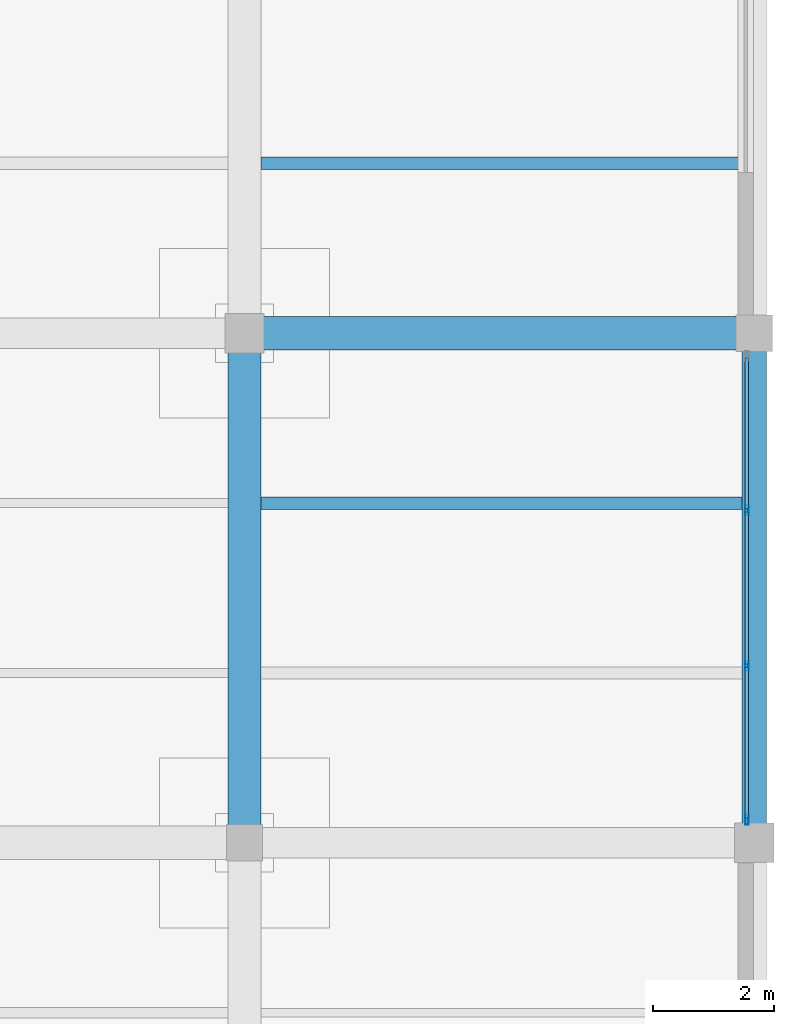
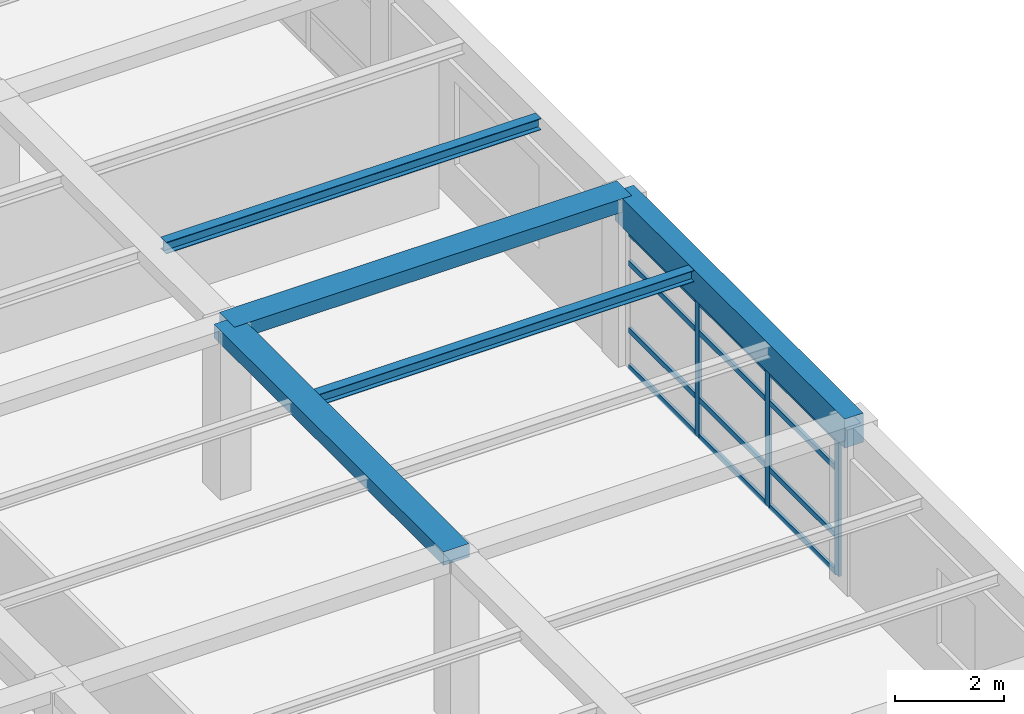
# One storey, part 14 of 26: 15 members, 5 beams, 1 element without a shape of its own.
"""IFC4 building model written with IfcOpenShell, lengths in metres."""

import ifcopenshell
import ifcopenshell.guid

model = None  # the IFC model being written
_history = None  # IfcOwnerHistory: only IFC2X3 demands one
_inside = {}  # id of a spatial element -> (the spatial element, [elements in it])
_under = {}  # id of a project, library or spatial element -> (it, [spatial elements below it])
_declared = {}  # id of a project -> (the project, [libraries it declares])
_typed = {}  # id of a type object -> (the type object, [elements of that type])
_made_of = {}  # id of a material, layer set ... -> (it, [elements and type objects made of it])


def new_model(schema):
    """Start an empty IFC model of exactly this schema.

    Asked for "IFC4X3", IfcOpenShell would pick the latest addendum, in which some entities
    have other attributes; the version numbers below select the first issue.
    IFC2X3 requires an IfcOwnerHistory on every rooted entity: one is made here for all.
    """
    global model, _history
    if schema == "IFC4X3":
        model = ifcopenshell.file(schema_version=(4, 3, 0, 0))
    else:
        model = ifcopenshell.file(schema=schema)
    _inside.clear()
    _under.clear()
    _declared.clear()
    _typed.clear()
    _made_of.clear()
    _history = None
    if model.schema == "IFC2X3":
        org = make("IfcOrganization", Name="unknown")
        user = make(
            "IfcPersonAndOrganization",
            ThePerson=make("IfcPerson", FamilyName="unknown"),
            TheOrganization=org,
        )
        app = make(
            "IfcApplication",
            ApplicationDeveloper=org,
            Version="unknown",
            ApplicationFullName="unknown",
            ApplicationIdentifier="unknown",
        )
        _history = make(
            "IfcOwnerHistory",
            OwningUser=user,
            OwningApplication=app,
            ChangeAction="ADDED",
            CreationDate=0,
        )
    return model


def make(cls, **values):
    """One entity of the class cls with the attributes given. An attribute that is None is left unset."""
    return model.create_entity(
        cls, **{name: value for name, value in values.items() if value is not None}
    )


def rooted(cls, **values):
    """An entity with a GlobalId (a new one), such as an element, a storey or a relation."""
    return make(cls, GlobalId=ifcopenshell.guid.new(), OwnerHistory=_history, **values)


def si_unit(unit_type, name, prefix=None):
    """IfcSIUnit, for example si_unit("LENGTHUNIT", "METRE", prefix="MILLI")."""
    return make("IfcSIUnit", UnitType=unit_type, Prefix=prefix, Name=name)


def assignment(units):
    """IfcUnitAssignment: the units of a project."""
    return None if units is None else make("IfcUnitAssignment", Units=units)


def point(xyz):
    """IfcCartesianPoint."""
    return None if xyz is None else make("IfcCartesianPoint", Coordinates=xyz)


def direction(xyz):
    """IfcDirection."""
    return None if xyz is None else make("IfcDirection", DirectionRatios=xyz)


def frame(location, z_axis=None, x_axis=None):
    """IfcAxis2Placement3D, a coordinate frame: its origin and axes. An axis left out is left unset."""
    return make(
        "IfcAxis2Placement3D",
        Location=point(location),
        Axis=direction(z_axis),
        RefDirection=direction(x_axis),
    )


def frame_2d(location, x_axis=None):
    """IfcAxis2Placement2D, a coordinate frame in the plane: its origin and x axis."""
    return make(
        "IfcAxis2Placement2D", Location=point(location), RefDirection=direction(x_axis)
    )


def origin():
    """The frame at (0, 0, 0) with its axes left unset."""
    return frame((0.0, 0.0, 0.0))


def origin_2d():
    """The frame at (0, 0) in the plane with its x axis left unset."""
    return frame_2d((0.0, 0.0))


def place(relative_to, where):
    """IfcLocalPlacement: puts the frame where relative to a parent placement (None: the world)."""
    return make(
        "IfcLocalPlacement", PlacementRelTo=relative_to, RelativePlacement=where
    )


def context(
    kind, dimensions, precision=None, world=None, true_north=None, identifier=None
):
    """IfcGeometricRepresentationContext, for example the 3D "Model" context."""
    return make(
        "IfcGeometricRepresentationContext",
        ContextIdentifier=identifier,
        ContextType=kind,
        CoordinateSpaceDimension=dimensions,
        Precision=precision,
        WorldCoordinateSystem=world,
        TrueNorth=true_north,
    )


def subcontext(parent, identifier, kind, view, scale=None):
    """IfcGeometricRepresentationSubContext, for example "Body" below "Model"."""
    return make(
        "IfcGeometricRepresentationSubContext",
        ContextIdentifier=identifier,
        ContextType=kind,
        ParentContext=parent,
        TargetScale=scale,
        TargetView=view,
    )


def project(units=None, contexts=None):
    """IfcProject with its units and contexts."""
    return rooted(
        "IfcProject",
        Name="project",
        RepresentationContexts=contexts,
        UnitsInContext=assignment(units),
    )


def spatial(cls, under=None, at=None, **own):
    """A site, building, storey or space (cls), placed at a placement, below another one or the project."""
    s = rooted(cls, ObjectPlacement=at, **own)
    if under is not None:
        _under.setdefault(under.id(), (under, []))[1].append(s)
    return s


def profile(cls, at=None, kind="AREA", **sizes):
    """A parametric profile (cls). Its sizes go by their IFC names, for example OverallWidth=200.0."""
    return make(cls, ProfileType=kind, Position=at, **sizes)


def rectangle(**sizes):
    """IfcRectangleProfileDef."""
    return profile("IfcRectangleProfileDef", **sizes)


def hollow_rectangle(**sizes):
    """IfcRectangleHollowProfileDef."""
    return profile("IfcRectangleHollowProfileDef", **sizes)


def i_section(**sizes):
    """IfcIShapeProfileDef."""
    return profile("IfcIShapeProfileDef", **sizes)


def extrude(swept, where, along, depth):
    """IfcExtrudedAreaSolid: the profile swept, set in the frame where, extruded along a direction by depth."""
    return make(
        "IfcExtrudedAreaSolid",
        SweptArea=swept,
        Position=where,
        ExtrudedDirection=direction(along),
        Depth=depth,
    )


def shape(context_of_items, identifier, shape_type, items):
    """IfcShapeRepresentation: the items that make up one representation, for example the "Body"."""
    return make(
        "IfcShapeRepresentation",
        ContextOfItems=context_of_items,
        RepresentationIdentifier=identifier,
        RepresentationType=shape_type,
        Items=items,
    )


def material(Name=None, Category=None):
    """IfcMaterial."""
    return make("IfcMaterial", Name=Name, Category=Category)


def material_profile(
    of_material, cross_section, Name=None, Category=None, Priority=None
):
    """IfcMaterialProfile: a cross section and its material."""
    return make(
        "IfcMaterialProfile",
        Name=Name,
        Material=of_material,
        Profile=cross_section,
        Priority=Priority,
        Category=Category,
    )


def profile_set(profiles, Name=None, composite=None):
    """IfcMaterialProfileSet."""
    return make(
        "IfcMaterialProfileSet",
        Name=Name,
        MaterialProfiles=profiles,
        CompositeProfile=composite,
    )


def made_of(thing, what):
    """Note that an element or type object is made of a material, layer set ...; save() writes the relation."""
    if what is not None:
        _made_of.setdefault(what.id(), (what, []))[1].append(thing)
    return thing


def type_object(cls, material=None, **own):
    """A type object (cls), such as IfcWallType, which elements share."""
    return made_of(rooted(cls, **own), material)


def element(
    cls,
    number,
    at=None,
    inside=None,
    cuts=None,
    type_object=None,
    material=None,
    context=None,
    identifier="Body",
    shape_type=None,
    held_by="IfcProductDefinitionShape",
    body=None,
    shapes=None,
    **own,
):
    """One element of the class cls, such as IfcWall. Its Tag is "e" and its number.

    at: its placement. inside: the storey or other place that contains it. cuts: it is an
    opening in that element (IfcRelVoidsElement). A single representation is given by context,
    identifier, shape_type and body (its items); several are given by shapes. held_by: the class
    of the entity that holds the representations. save() writes the other relations.
    """
    e = rooted(cls, Tag="e%d" % number, ObjectPlacement=at, **own)
    if body is not None:
        shapes = [shape(context, identifier, shape_type, body)]
    if shapes is not None:
        e.Representation = make(held_by, Representations=shapes)
    if inside is not None:
        _inside.setdefault(inside.id(), (inside, []))[1].append(e)
    if cuts is not None:
        rooted(
            "IfcRelVoidsElement", RelatingBuildingElement=cuts, RelatedOpeningElement=e
        )
    if type_object is not None:
        _typed.setdefault(type_object.id(), (type_object, []))[1].append(e)
    return made_of(e, material)


def aggregate(whole, parts):
    """IfcRelAggregates: a whole, such as a stair, and the parts it consists of."""
    return rooted("IfcRelAggregates", RelatingObject=whole, RelatedObjects=parts)


def save(model, path):
    """Write the relations noted so far, then the file.

    IfcRelAggregates (storeys below a building ...), IfcRelContainedInSpatialStructure (elements
    in a storey), IfcRelDefinesByType, IfcRelAssociatesMaterial and IfcRelDeclares: one each for
    every whole, place, type object, material and project.
    """
    for whole, parts in _under.values():
        aggregate(whole, parts)
    for where, things in _inside.values():
        rooted(
            "IfcRelContainedInSpatialStructure",
            RelatedElements=things,
            RelatingStructure=where,
        )
    for kind, things in _typed.values():
        rooted("IfcRelDefinesByType", RelatedObjects=things, RelatingType=kind)
    for what, things in _made_of.values():
        rooted("IfcRelAssociatesMaterial", RelatedObjects=things, RelatingMaterial=what)
    for by, libraries in _declared.values():
        rooted("IfcRelDeclares", RelatingContext=by, RelatedDefinitions=libraries)
    model.write(path)


model = new_model("IFC4")

# Units and contexts
model_context = context("Model", 3, precision=1e-05, world=origin(), true_north=direction((0.0, 1.0)))
body_context = subcontext(model_context, "Body", "Model", "MODEL_VIEW")
ifc_project = project(units=[si_unit("LENGTHUNIT", "METRE"), si_unit("AREAUNIT", "SQUARE_METRE"), si_unit("VOLUMEUNIT", "CUBIC_METRE"), si_unit("PLANEANGLEUNIT", "RADIAN"), si_unit("MASSUNIT", "GRAM", prefix="KILO")], contexts=[model_context])

# Site, building, storey
site_placement = place(None, origin())
site = spatial("IfcSite", under=ifc_project, at=site_placement, CompositionType="ELEMENT")
building_placement = place(site_placement, origin())
building = spatial("IfcBuilding", under=site, at=building_placement, Name="Almacenes y Pasaje Nevantli", CompositionType="ELEMENT")
storey_placement = place(building_placement, frame((0.0, 0.0, 46.699951171875)))
storey = spatial("IfcBuildingStorey", under=building, at=storey_placement, Name="L11", CompositionType="ELEMENT", Elevation=46.699951171875)

# Beams
ifc_material_1 = material(Name="Concrete C35/45", Category="concrete")
ifc_material_profile_1 = material_profile(ifc_material_1, rectangle(XDim=0.39990234375, YDim=0.64990234375, at=origin_2d()), Name="RC-BM-400x650")
ifc_profile_set_1 = profile_set([ifc_material_profile_1], Name="Concrete C35/45")
beam_type_1 = type_object("IfcBeamType", Name="BM-RC-400x650", PredefinedType="SPANDREL", material=ifc_profile_set_1)
beam_1_placement = place(storey_placement, frame((159.60009765625, 75.60009765625, 3.39501953125), z_axis=(0.0, 1.0, 0.0), x_axis=(-1.0, 0.0, 0.0)))
element("IfcBeam", 1, at=beam_1_placement, inside=storey, type_object=beam_type_1, Name="L11 North-South Reinforced Concrete Beam #3888", PredefinedType="SPANDREL", context=body_context, shape_type="SweptSolid", body=[
    extrude(rectangle(XDim=0.39990234375, YDim=0.64990234375, at=origin_2d()), origin(), (0.0, 0.0, 1.0), 8.39990234375),
])
ifc_material_2 = material(Name="Concrete C35/45", Category="concrete")
ifc_material_profile_2 = material_profile(ifc_material_2, rectangle(XDim=0.550048828125, YDim=0.300048828125, at=origin_2d()), Name="RC-BM-550x300")
ifc_profile_set_2 = profile_set([ifc_material_profile_2], Name="Concrete C35/45")
beam_type_2 = type_object("IfcBeamType", Name="BM-RC-550x300", PredefinedType="BEAM", material=ifc_profile_set_2)
beam_2_placement = place(storey_placement, frame((151.199951171875, 84.0, 3.570068359375), z_axis=(1.0, 0.0, 0.0), x_axis=(0.0, 1.0, 0.0)))
element("IfcBeam", 2, at=beam_2_placement, inside=storey, type_object=beam_type_2, Name="L11 East-West Reinforced Concrete Beam #3858", PredefinedType="BEAM", context=body_context, shape_type="SweptSolid", body=[
    extrude(rectangle(XDim=0.550048828125, YDim=0.300048828125, at=origin_2d()), origin(), (0.0, 0.0, 1.0), 8.400146484375),
])
beam_3_placement = place(storey_placement, frame((151.199951171875, 75.60009765625, 3.570068359375), z_axis=(0.0, 1.0, 0.0), x_axis=(-1.0, 0.0, 0.0)))
element("IfcBeam", 3, at=beam_3_placement, inside=storey, type_object=beam_type_2, Name="L11 North-South Reinforced Concrete Beam #3884", PredefinedType="BEAM", context=body_context, shape_type="SweptSolid", body=[
    extrude(rectangle(XDim=0.550048828125, YDim=0.300048828125, at=origin_2d()), origin(), (0.0, 0.0, 1.0), 8.39990234375),
])
ifc_material_3 = material(Name="Steel ASTM A992", Category="steel")
ifc_material_profile_3 = material_profile(ifc_material_3, i_section(OverallWidth=0.202880859375, OverallDepth=0.25390625, WebThickness=0.00732421875, FlangeThickness=0.010986328125, at=origin_2d()), Name="IR 254x49.1")
ifc_profile_set_3 = profile_set([ifc_material_profile_3], Name="Steel ASTM A992")
beam_type_3 = type_object("IfcBeamType", Name="BM-STL-IR-254x49p1", PredefinedType="JOIST", material=ifc_profile_set_3)
beam_4_placement = place(storey_placement, frame((151.47509765625, 81.199951171875, 3.5849609375), z_axis=(1.0, 0.0, 0.0), x_axis=(0.0, 1.0, 0.0)))
element("IfcBeam", 4, at=beam_4_placement, inside=storey, type_object=beam_type_3, Name="L11 Secondary Steel Floor Joist #1536", PredefinedType="JOIST", context=body_context, shape_type="SweptSolid", body=[
    extrude(i_section(OverallWidth=0.202880859375, OverallDepth=0.25390625, WebThickness=0.00732421875, FlangeThickness=0.010986328125, at=origin_2d()), origin(), (0.0, 0.0, 1.0), 7.9248046875),
])
ifc_material_4 = material(Name="Steel ASTM A992", Category="steel")
ifc_material_profile_4 = material_profile(ifc_material_4, i_section(OverallWidth=0.2041015625, OverallDepth=0.258056640625, WebThickness=0.008056640625, FlangeThickness=0.013427734375, at=origin_2d()), Name="IR 254x58.0")
ifc_profile_set_4 = profile_set([ifc_material_profile_4], Name="Steel ASTM A992")
beam_type_4 = type_object("IfcBeamType", Name="BM-STL-IR-254x58p0", PredefinedType="JOIST", material=ifc_profile_set_4)
beam_5_placement = place(storey_placement, frame((151.47509765625, 86.800048828125, 3.5830078125), z_axis=(1.0, 0.0, 0.0), x_axis=(0.0, 1.0, 0.0)))
element("IfcBeam", 5, at=beam_5_placement, inside=storey, type_object=beam_type_4, Name="L11 Secondary Steel Floor Joist #1537", PredefinedType="JOIST", context=body_context, shape_type="SweptSolid", body=[
    extrude(i_section(OverallWidth=0.2041015625, OverallDepth=0.258056640625, WebThickness=0.008056640625, FlangeThickness=0.013427734375, at=origin_2d()), origin(), (0.0, 0.0, 1.0), 7.9248046875),
])

# Curtain wall, members
ifc_material_5 = material(Name="Thermally Broken Aluminium and Low-E Glass", Category="aluminium")
curtain_wall_type = type_object("IfcCurtainWallType", Name="CW-UNIT-TOWER", PredefinedType="USERDEFINED", material=ifc_material_5)
curtain_wall_placement = place(storey_placement, origin())
curtain_wall = element("IfcCurtainWall", 6, at=curtain_wall_placement, inside=storey, type_object=curtain_wall_type, Name="L11 Tower East Curtain Wall Bay 10", ObjectType="UNITIZED CURTAIN WALL", PredefinedType="USERDEFINED")
ifc_material_6 = material(Name="Thermally Broken Anodized Aluminium", Category="aluminium")
ifc_material_profile_5 = material_profile(ifc_material_6, hollow_rectangle(XDim=0.06005859375, YDim=0.159912109375, WallThickness=0.00390625, at=origin_2d()), Name="ALU-MUL-60x160")
ifc_profile_set_5 = profile_set([ifc_material_profile_5], Name="Thermally Broken Anodized Aluminium")
member_type_1 = type_object("IfcMemberType", Name="CW-MUL-180", PredefinedType="MULLION", material=ifc_profile_set_5)
member_1_placement = place(storey_placement, frame((159.47998046875, 75.97998046875, 0.0), z_axis=(0.0, 0.0, 1.0), x_axis=(-1.0, 0.0, 0.0)))
member_1 = element("IfcMember", 7, at=member_1_placement, type_object=member_type_1, Name="CW-L11-156 mullion 1", PredefinedType="MULLION", context=body_context, shape_type="SweptSolid", body=[
    extrude(hollow_rectangle(XDim=0.06005859375, YDim=0.159912109375, WallThickness=0.00390625, at=origin_2d()), origin(), (0.0, 0.0, 1.0), 3.0400390625),
])
member_2_placement = place(storey_placement, frame((159.47998046875, 78.5166015625, 0.0), z_axis=(0.0, 0.0, 1.0), x_axis=(-1.0, 0.0, 0.0)))
member_2 = element("IfcMember", 8, at=member_2_placement, type_object=member_type_1, Name="CW-L11-156 mullion 2", PredefinedType="MULLION", context=body_context, shape_type="SweptSolid", body=[
    extrude(hollow_rectangle(XDim=0.06005859375, YDim=0.159912109375, WallThickness=0.00390625, at=origin_2d()), origin(), (0.0, 0.0, 1.0), 3.0400390625),
])
member_3_placement = place(storey_placement, frame((159.47998046875, 81.083251953125, 0.0), z_axis=(0.0, 0.0, 1.0), x_axis=(-1.0, 0.0, 0.0)))
member_3 = element("IfcMember", 9, at=member_3_placement, type_object=member_type_1, Name="CW-L11-156 mullion 3", PredefinedType="MULLION", context=body_context, shape_type="SweptSolid", body=[
    extrude(hollow_rectangle(XDim=0.06005859375, YDim=0.159912109375, WallThickness=0.00390625, at=origin_2d()), origin(), (0.0, 0.0, 1.0), 3.0400390625),
])
ifc_material_7 = material(Name="Thermally Broken Anodized Aluminium", Category="aluminium")
ifc_material_profile_6 = material_profile(ifc_material_7, hollow_rectangle(XDim=0.06005859375, YDim=0.1201171875, WallThickness=0.00341796875, at=origin_2d()), Name="ALU-TRN-60x120")
ifc_profile_set_6 = profile_set([ifc_material_profile_6], Name="Thermally Broken Anodized Aluminium")
member_type_2 = type_object("IfcMemberType", Name="CW-TRN-130", PredefinedType="USERDEFINED", material=ifc_profile_set_6)
member_4_placement = place(storey_placement, frame((159.47998046875, 76.010009765625, 0.030029296875), z_axis=(0.0, 1.0, 0.0), x_axis=(-1.0, 0.0, 0.0)))
member_4 = element("IfcMember", 10, at=member_4_placement, type_object=member_type_2, Name="CW-L11-156 transom 1.1", ObjectType="TRANSOM", PredefinedType="USERDEFINED", context=body_context, shape_type="SweptSolid", body=[
    extrude(hollow_rectangle(XDim=0.06005859375, YDim=0.1201171875, WallThickness=0.00341796875, at=origin_2d()), origin(), (0.0, 0.0, 1.0), 2.4765625),
])
member_5_placement = place(storey_placement, frame((159.47998046875, 76.010009765625, 0.85009765625), z_axis=(0.0, 1.0, 0.0), x_axis=(-1.0, 0.0, 0.0)))
member_5 = element("IfcMember", 11, at=member_5_placement, type_object=member_type_2, Name="CW-L11-156 transom 1.2", ObjectType="TRANSOM", PredefinedType="USERDEFINED", context=body_context, shape_type="SweptSolid", body=[
    extrude(hollow_rectangle(XDim=0.06005859375, YDim=0.1201171875, WallThickness=0.00341796875, at=origin_2d()), origin(), (0.0, 0.0, 1.0), 2.4765625),
])
member_6_placement = place(storey_placement, frame((159.47998046875, 76.010009765625, 2.35009765625), z_axis=(0.0, 1.0, 0.0), x_axis=(-1.0, 0.0, 0.0)))
member_6 = element("IfcMember", 12, at=member_6_placement, type_object=member_type_2, Name="CW-L11-156 transom 1.3", ObjectType="TRANSOM", PredefinedType="USERDEFINED", context=body_context, shape_type="SweptSolid", body=[
    extrude(hollow_rectangle(XDim=0.06005859375, YDim=0.1201171875, WallThickness=0.00341796875, at=origin_2d()), origin(), (0.0, 0.0, 1.0), 2.4765625),
])
member_7_placement = place(storey_placement, frame((159.47998046875, 76.010009765625, 3.010009765625), z_axis=(0.0, 1.0, 0.0), x_axis=(-1.0, 0.0, 0.0)))
member_7 = element("IfcMember", 13, at=member_7_placement, type_object=member_type_2, Name="CW-L11-156 transom 1.4", ObjectType="TRANSOM", PredefinedType="USERDEFINED", context=body_context, shape_type="SweptSolid", body=[
    extrude(hollow_rectangle(XDim=0.06005859375, YDim=0.1201171875, WallThickness=0.00341796875, at=origin_2d()), origin(), (0.0, 0.0, 1.0), 2.4765625),
])
member_8_placement = place(storey_placement, frame((159.47998046875, 78.546630859375, 0.030029296875), z_axis=(0.0, 1.0, 0.0), x_axis=(-1.0, 0.0, 0.0)))
member_8 = element("IfcMember", 14, at=member_8_placement, type_object=member_type_2, Name="CW-L11-156 transom 2.1", ObjectType="TRANSOM", PredefinedType="USERDEFINED", context=body_context, shape_type="SweptSolid", body=[
    extrude(hollow_rectangle(XDim=0.06005859375, YDim=0.1201171875, WallThickness=0.00341796875, at=origin_2d()), origin(), (0.0, 0.0, 1.0), 2.506591796875),
])
member_9_placement = place(storey_placement, frame((159.47998046875, 78.546630859375, 0.85009765625), z_axis=(0.0, 1.0, 0.0), x_axis=(-1.0, 0.0, 0.0)))
member_9 = element("IfcMember", 15, at=member_9_placement, type_object=member_type_2, Name="CW-L11-156 transom 2.2", ObjectType="TRANSOM", PredefinedType="USERDEFINED", context=body_context, shape_type="SweptSolid", body=[
    extrude(hollow_rectangle(XDim=0.06005859375, YDim=0.1201171875, WallThickness=0.00341796875, at=origin_2d()), origin(), (0.0, 0.0, 1.0), 2.506591796875),
])
member_10_placement = place(storey_placement, frame((159.47998046875, 78.546630859375, 2.35009765625), z_axis=(0.0, 1.0, 0.0), x_axis=(-1.0, 0.0, 0.0)))
member_10 = element("IfcMember", 16, at=member_10_placement, type_object=member_type_2, Name="CW-L11-156 transom 2.3", ObjectType="TRANSOM", PredefinedType="USERDEFINED", context=body_context, shape_type="SweptSolid", body=[
    extrude(hollow_rectangle(XDim=0.06005859375, YDim=0.1201171875, WallThickness=0.00341796875, at=origin_2d()), origin(), (0.0, 0.0, 1.0), 2.506591796875),
])
member_11_placement = place(storey_placement, frame((159.47998046875, 78.546630859375, 3.010009765625), z_axis=(0.0, 1.0, 0.0), x_axis=(-1.0, 0.0, 0.0)))
member_11 = element("IfcMember", 17, at=member_11_placement, type_object=member_type_2, Name="CW-L11-156 transom 2.4", ObjectType="TRANSOM", PredefinedType="USERDEFINED", context=body_context, shape_type="SweptSolid", body=[
    extrude(hollow_rectangle(XDim=0.06005859375, YDim=0.1201171875, WallThickness=0.00341796875, at=origin_2d()), origin(), (0.0, 0.0, 1.0), 2.506591796875),
])
member_12_placement = place(storey_placement, frame((159.47998046875, 81.11328125, 0.030029296875), z_axis=(0.0, 1.0, 0.0), x_axis=(-1.0, 0.0, 0.0)))
member_12 = element("IfcMember", 18, at=member_12_placement, type_object=member_type_2, Name="CW-L11-156 transom 3.1", ObjectType="TRANSOM", PredefinedType="USERDEFINED", context=body_context, shape_type="SweptSolid", body=[
    extrude(hollow_rectangle(XDim=0.06005859375, YDim=0.1201171875, WallThickness=0.00341796875, at=origin_2d()), origin(), (0.0, 0.0, 1.0), 2.476806640625),
])
member_13_placement = place(storey_placement, frame((159.47998046875, 81.11328125, 0.85009765625), z_axis=(0.0, 1.0, 0.0), x_axis=(-1.0, 0.0, 0.0)))
member_13 = element("IfcMember", 19, at=member_13_placement, type_object=member_type_2, Name="CW-L11-156 transom 3.2", ObjectType="TRANSOM", PredefinedType="USERDEFINED", context=body_context, shape_type="SweptSolid", body=[
    extrude(hollow_rectangle(XDim=0.06005859375, YDim=0.1201171875, WallThickness=0.00341796875, at=origin_2d()), origin(), (0.0, 0.0, 1.0), 2.476806640625),
])
member_14_placement = place(storey_placement, frame((159.47998046875, 81.11328125, 2.35009765625), z_axis=(0.0, 1.0, 0.0), x_axis=(-1.0, 0.0, 0.0)))
member_14 = element("IfcMember", 20, at=member_14_placement, type_object=member_type_2, Name="CW-L11-156 transom 3.3", ObjectType="TRANSOM", PredefinedType="USERDEFINED", context=body_context, shape_type="SweptSolid", body=[
    extrude(hollow_rectangle(XDim=0.06005859375, YDim=0.1201171875, WallThickness=0.00341796875, at=origin_2d()), origin(), (0.0, 0.0, 1.0), 2.476806640625),
])
member_15_placement = place(storey_placement, frame((159.47998046875, 81.11328125, 3.010009765625), z_axis=(0.0, 1.0, 0.0), x_axis=(-1.0, 0.0, 0.0)))
member_15 = element("IfcMember", 21, at=member_15_placement, type_object=member_type_2, Name="CW-L11-156 transom 3.4", ObjectType="TRANSOM", PredefinedType="USERDEFINED", context=body_context, shape_type="SweptSolid", body=[
    extrude(hollow_rectangle(XDim=0.06005859375, YDim=0.1201171875, WallThickness=0.00341796875, at=origin_2d()), origin(), (0.0, 0.0, 1.0), 2.476806640625),
])
aggregate(curtain_wall, [member_1, member_2, member_3, member_4, member_5, member_6, member_7, member_8, member_9, member_10, member_11, member_12, member_13, member_14, member_15])

save(model, "model.ifc")
